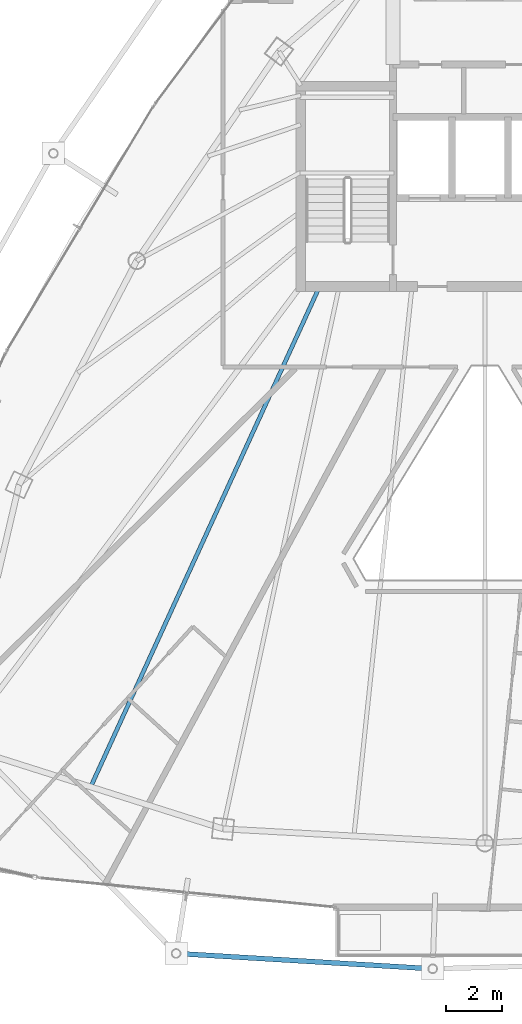
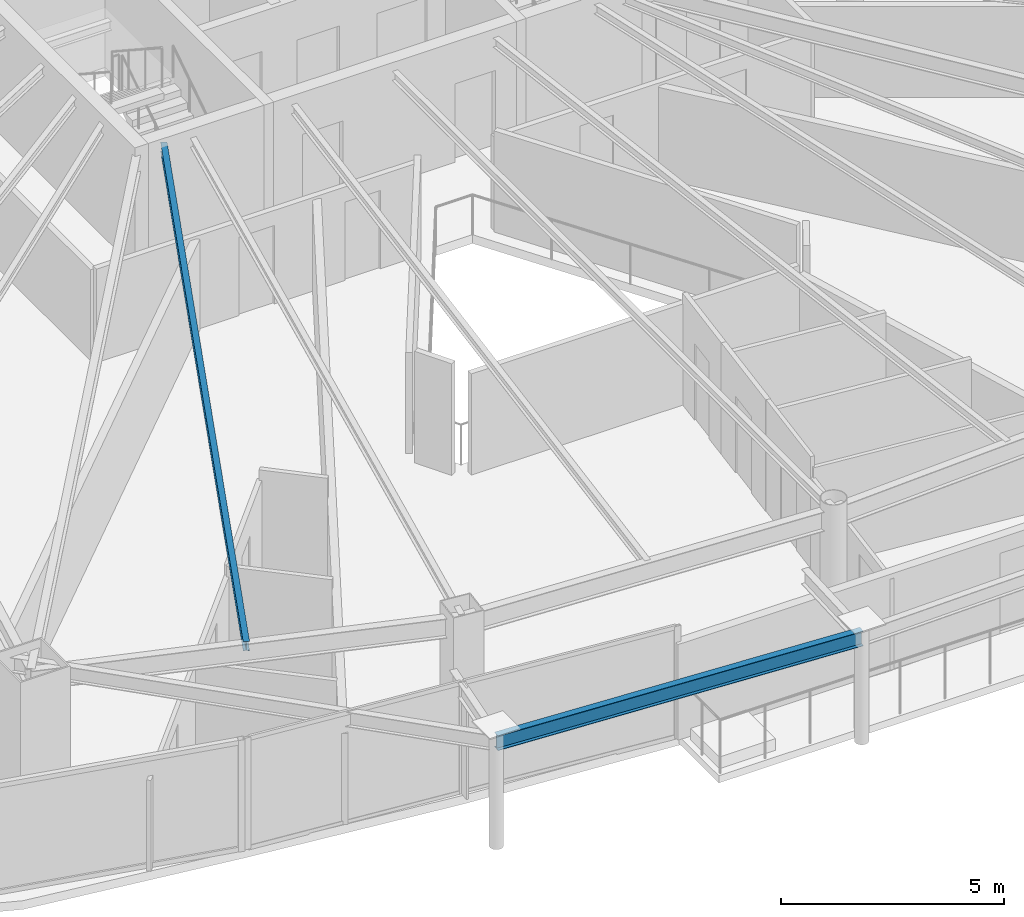
# One storey, part 7 of 34: 2 beams.
"""IFC4 building model written with IfcOpenShell, lengths in metres."""

from ifc_helpers import new_model, si_unit, direction, frame, origin, origin_2d, place, context, subcontext, project, spatial, i_section, extrude, material, material_profile, profile_set, type_object, element, save


model = new_model("IFC4")

# Units and contexts
model_context = context("Model", 3, precision=1e-05, world=origin(), true_north=direction((0.0, 1.0)))
body_context = subcontext(model_context, "Body", "Model", "MODEL_VIEW")
ifc_project = project(units=[si_unit("LENGTHUNIT", "METRE"), si_unit("AREAUNIT", "SQUARE_METRE"), si_unit("VOLUMEUNIT", "CUBIC_METRE"), si_unit("PLANEANGLEUNIT", "RADIAN"), si_unit("MASSUNIT", "GRAM", prefix="KILO")], contexts=[model_context])

# Site, building, storey
site_placement = place(None, origin())
site = spatial("IfcSite", under=ifc_project, at=site_placement, CompositionType="ELEMENT")
building_placement = place(site_placement, origin())
building = spatial("IfcBuilding", under=site, at=building_placement, Name="Orvanel Arch Residences", CompositionType="ELEMENT")
storey_placement = place(building_placement, frame((0.0, 0.0, 203.0)))
storey = spatial("IfcBuildingStorey", under=building, at=storey_placement, Name="L57", CompositionType="ELEMENT", Elevation=203.0)

# Beams
ifc_material = material(Name="Structural steel AS/NZS 3679.1 Grade 300 (300 MPa)", Category="steel")
ifc_material_profile_1 = material_profile(ifc_material, i_section(OverallWidth=0.14599609375, OverallDepth=0.251953125, WebThickness=0.006103515625, FlangeThickness=0.008544921875, at=origin_2d()), Name="250UB31.4")
ifc_profile_set_1 = profile_set([ifc_material_profile_1], Name="Structural steel AS/NZS 3679.1 Grade 300 (300 MPa)")
beam_type_1 = type_object("IfcBeamType", Name="BJ-250UB", PredefinedType="JOIST", material=ifc_profile_set_1)
beam_1_placement = place(storey_placement, frame((27.10009765625, 26.72509765625, 2.93408203125), z_axis=(-0.416009574066, -0.909360233508, 0.0), x_axis=(0.909360233508, -0.416009574066, 0.0)))
element("IfcBeam", 1, at=beam_1_placement, inside=storey, type_object=beam_type_1, Name="L57 JADD1 Wing Floor Joist", PredefinedType="JOIST", context=body_context, shape_type="SweptSolid", body=[
    extrude(i_section(OverallWidth=0.14599609375, OverallDepth=0.251953125, WebThickness=0.006103515625, FlangeThickness=0.008544921875, at=origin_2d()), origin(), (0.0, 0.0, 1.0), 19.653564453125),
])
ifc_material_profile_2 = material_profile(ifc_material, i_section(OverallWidth=0.177978515625, OverallDepth=0.406005859375, WebThickness=0.0078125, FlangeThickness=0.0126953125, at=origin_2d()), Name="410UB59.7")
ifc_profile_set_2 = profile_set([ifc_material_profile_2], Name="Structural steel AS/NZS 3679.1 Grade 300 (300 MPa)")
beam_type_2 = type_object("IfcBeamType", Name="OB-410UB-EXT", PredefinedType="SPANDREL", material=ifc_profile_set_2)
beam_2_placement = place(storey_placement, frame((21.97509765625, 2.906005859375, 2.85693359375), z_axis=(0.998215357636, -0.05971682996, 0.0), x_axis=(0.05971682996, 0.998215357636, 0.0)))
element("IfcBeam", 2, at=beam_2_placement, inside=storey, type_object=beam_type_2, Name="L57 Outer Perimeter Floor Ring Beam 05", PredefinedType="SPANDREL", context=body_context, shape_type="SweptSolid", body=[
    extrude(i_section(OverallWidth=0.177978515625, OverallDepth=0.406005859375, WebThickness=0.0078125, FlangeThickness=0.0126953125, at=origin_2d()), origin(), (0.0, 0.0, 1.0), 9.17822265625),
])

save(model, "model.ifc")
